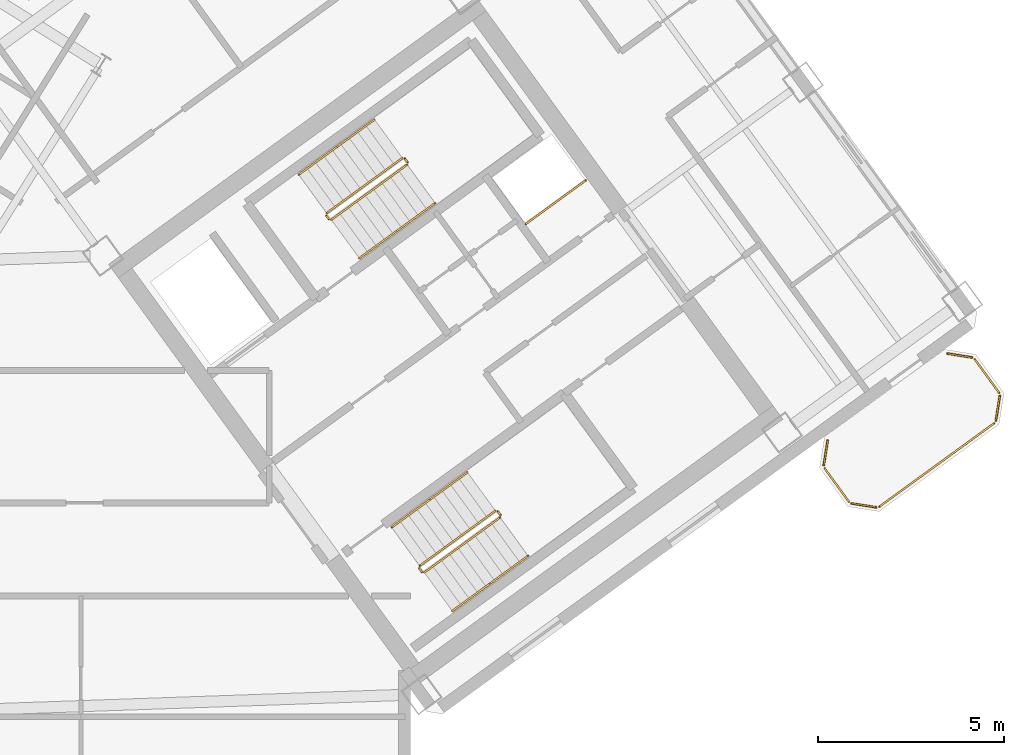
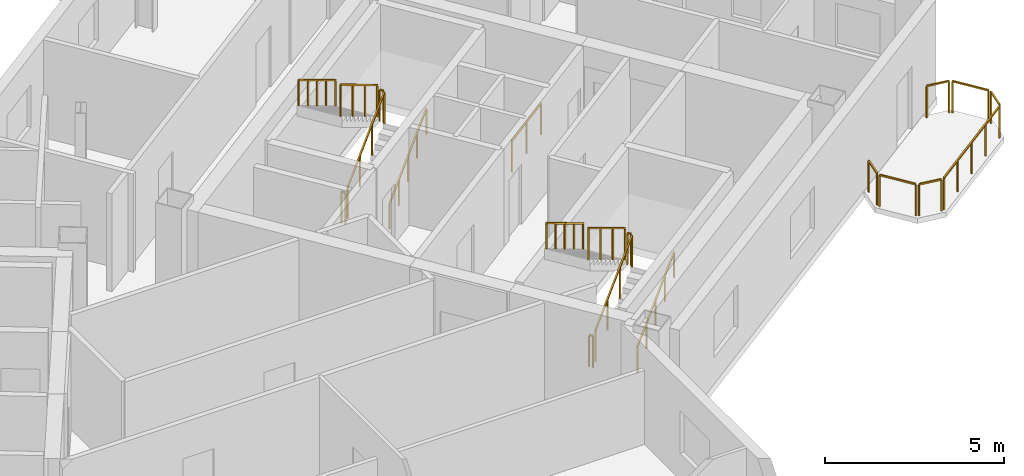
# One storey, part 19 of 20: 24 railings.
"""IFC4 building model written with IfcOpenShell, lengths in metres."""

from ifc_helpers import new_model, si_unit, direction, frame, origin, origin_2d, place, context, subcontext, project, spatial, rectangle, extrude, source, transform, mapped, material, type_object, element, save


model = new_model("IFC4")

# Units and contexts
model_context = context("Model", 3, precision=1e-05, world=origin(), true_north=direction((0.0, 1.0)))
body_context = subcontext(model_context, "Body", "Model", "MODEL_VIEW")
ifc_project = project(units=[si_unit("LENGTHUNIT", "METRE"), si_unit("AREAUNIT", "SQUARE_METRE"), si_unit("VOLUMEUNIT", "CUBIC_METRE"), si_unit("PLANEANGLEUNIT", "RADIAN"), si_unit("MASSUNIT", "GRAM", prefix="KILO")], contexts=[model_context])

# Site, building, storey
site_placement = place(None, origin())
site = spatial("IfcSite", under=ifc_project, at=site_placement, CompositionType="ELEMENT")
building_placement = place(site_placement, origin())
building = spatial("IfcBuilding", under=site, at=building_placement, Name="Tlacorven Tower", CompositionType="ELEMENT")
storey_placement = place(building_placement, frame((0.0, 0.0, 211.199951171875)))
storey = spatial("IfcBuildingStorey", under=building, at=storey_placement, Name="L53", CompositionType="ELEMENT", Elevation=211.199951171875)

# Railings
ifc_material = material(Name="Aluminium and painted steel balustrade", Category="steel")
railing_type_1 = type_object("IfcRailingType", Name="RL-GRD-1100", PredefinedType="GUARDRAIL", material=ifc_material)
shared_shape_1 = source(origin(), body_context, "Body", "SweptSolid", [
    extrude(rectangle(XDim=0.048095703125, YDim=0.048095703125, at=origin_2d()), frame((0.0, 0.0, 1.076171875), z_axis=(0.808947177504, 0.587881334972, 0.0), x_axis=(-0.587881334972, 0.808947177504, 0.0)), (0.0, 0.0, 1.0), 2.0),
    extrude(rectangle(XDim=0.0419921875, YDim=0.0419921875, at=origin_2d()), origin(), (0.0, 0.0, 1.0), 1.052001953125),
    extrude(rectangle(XDim=0.0419921875, YDim=0.0419921875, at=origin_2d()), frame((0.80908203125, 0.587890625, 0.0)), (0.0, 0.0, 1.0), 1.052001953125),
    extrude(rectangle(XDim=0.0419921875, YDim=0.0419921875, at=origin_2d()), frame((1.617919921875, 1.17578125, 0.0)), (0.0, 0.0, 1.0), 1.052001953125),
])
railing_1_placement = place(storey_placement, frame((55.506103515625, 25.438232421875, 0.0)))
element("IfcRailing", 1, at=railing_1_placement, inside=storey, type_object=railing_type_1, Name="L53 Electrical Riser E Shaft Guard 1", PredefinedType="GUARDRAIL", context=body_context, shape_type="MappedRepresentation", body=[
    mapped(shared_shape_1, transform((0.0, 0.0, 0.0), scale=1.0)),
])
railing_type_2 = type_object("IfcRailingType", Name="RL-BAL-1100", PredefinedType="BALUSTRADE", material=ifc_material)
shared_shape_2 = source(origin(), body_context, "Body", "SweptSolid", [
    extrude(rectangle(XDim=0.048095703125, YDim=0.048095703125, at=origin_2d()), frame((0.0, 0.0, 1.076171875), z_axis=(0.156602868908, 0.987661653326, 0.0), x_axis=(-0.987661653326, 0.156602868908, 0.0)), (0.0, 0.0, 1.0), 0.665771484375),
    extrude(rectangle(XDim=0.0419921875, YDim=0.0419921875, at=origin_2d()), origin(), (0.0, 0.0, 1.0), 1.052001953125),
    extrude(rectangle(XDim=0.0419921875, YDim=0.0419921875, at=origin_2d()), frame((0.104248046875, 0.657470703125, 0.0)), (0.0, 0.0, 1.0), 1.052001953125),
])
railing_2_placement = place(storey_placement, frame((63.539306640625, 18.949951171875, 0.0)))
element("IfcRailing", 2, at=railing_2_placement, inside=storey, type_object=railing_type_2, Name="BAL-L53-E-OUT Guard Railing 3", PredefinedType="BALUSTRADE", context=body_context, shape_type="MappedRepresentation", body=[
    mapped(shared_shape_2, transform((0.0, 0.0, 0.0), scale=1.0)),
])
shared_shape_3 = source(origin(), body_context, "Body", "SweptSolid", [
    extrude(rectangle(XDim=0.048095703125, YDim=0.048095703125, at=origin_2d()), frame((0.0, 0.0, 1.076171875), z_axis=(0.58788449985, -0.808944877501, 0.0), x_axis=(0.808944877501, 0.58788449985, 0.0)), (0.0, 0.0, 1.0), 1.112060546875),
    extrude(rectangle(XDim=0.0419921875, YDim=0.0419921875, at=origin_2d()), origin(), (0.0, 0.0, 1.0), 1.052001953125),
    extrude(rectangle(XDim=0.0419921875, YDim=0.0419921875, at=origin_2d()), frame((0.65380859375, -0.899658203125, 0.0)), (0.0, 0.0, 1.0), 1.052001953125),
])
railing_3_placement = place(storey_placement, frame((67.60595703125, 21.799072265625, 0.0)))
element("IfcRailing", 3, at=railing_3_placement, inside=storey, type_object=railing_type_2, Name="BAL-L53-E-OUT Guard Railing 5", PredefinedType="BALUSTRADE", context=body_context, shape_type="MappedRepresentation", body=[
    mapped(shared_shape_3, transform((0.0, 0.0, 0.0), scale=1.0)),
])
shared_shape_4 = source(origin(), body_context, "Body", "SweptSolid", [
    extrude(rectangle(XDim=0.048095703125, YDim=0.048095703125, at=origin_2d()), frame((0.0, 0.0, 1.076171875), z_axis=(-0.809018102573, -0.587783726986, 0.0), x_axis=(0.587783726986, -0.809018102573, 0.0)), (0.0, 0.0, 1.0), 3.817138671875),
    extrude(rectangle(XDim=0.0419921875, YDim=0.0419921875, at=origin_2d()), origin(), (0.0, 0.0, 1.0), 1.052001953125),
    extrude(rectangle(XDim=0.0419921875, YDim=0.0419921875, at=origin_2d()), frame((-0.77197265625, -0.56103515625, 0.0)), (0.0, 0.0, 1.0), 1.052001953125),
    extrude(rectangle(XDim=0.0419921875, YDim=0.0419921875, at=origin_2d()), frame((-1.5439453125, -1.121826171875, 0.0)), (0.0, 0.0, 1.0), 1.052001953125),
    extrude(rectangle(XDim=0.0419921875, YDim=0.0419921875, at=origin_2d()), frame((-2.316162109375, -1.6826171875, 0.0)), (0.0, 0.0, 1.0), 1.052001953125),
    extrude(rectangle(XDim=0.0419921875, YDim=0.0419921875, at=origin_2d()), frame((-3.088134765625, -2.24365234375, 0.0)), (0.0, 0.0, 1.0), 1.052001953125),
])
railing_4_placement = place(storey_placement, frame((68.12890625, 20.0732421875, 0.0)))
element("IfcRailing", 4, at=railing_4_placement, inside=storey, type_object=railing_type_2, Name="BAL-L53-E-OUT Guard Railing 7", PredefinedType="BALUSTRADE", context=body_context, shape_type="MappedRepresentation", body=[
    mapped(shared_shape_4, transform((0.0, 0.0, 0.0), scale=1.0)),
])
shared_shape_5 = source(origin(), body_context, "Body", "SweptSolid", [
    extrude(rectangle(XDim=0.048095703125, YDim=0.048095703125, at=origin_2d()), frame((0.0, 0.0, 1.076171875), z_axis=(-0.987718317463, 0.156245081039, 0.0), x_axis=(-0.156245081039, -0.987718317463, 0.0)), (0.0, 0.0, 1.0), 0.66552734375),
    extrude(rectangle(XDim=0.0419921875, YDim=0.0419921875, at=origin_2d()), origin(), (0.0, 0.0, 1.0), 1.052001953125),
    extrude(rectangle(XDim=0.0419921875, YDim=0.0419921875, at=origin_2d()), frame((-0.657470703125, 0.10400390625, 0.0)), (0.0, 0.0, 1.0), 1.052001953125),
])
railing_5_placement = place(storey_placement, frame((64.950927734375, 17.80810546875, 0.0)))
element("IfcRailing", 5, at=railing_5_placement, inside=storey, type_object=railing_type_2, Name="BAL-L53-E-OUT Guard Railing 1", PredefinedType="BALUSTRADE", context=body_context, shape_type="MappedRepresentation", body=[
    mapped(shared_shape_5, transform((0.0, 0.0, 0.0), scale=1.0)),
])
shared_shape_6 = source(origin(), body_context, "Body", "SweptSolid", [
    extrude(rectangle(XDim=0.048095703125, YDim=0.048095703125, at=origin_2d()), frame((0.0, 0.0, 1.076171875), z_axis=(-0.587740817519, 0.809049276263, 0.0), x_axis=(-0.809049276263, -0.587740817519, 0.0)), (0.0, 0.0, 1.0), 1.112060546875),
    extrude(rectangle(XDim=0.0419921875, YDim=0.0419921875, at=origin_2d()), origin(), (0.0, 0.0, 1.0), 1.052001953125),
    extrude(rectangle(XDim=0.0419921875, YDim=0.0419921875, at=origin_2d()), frame((-0.653564453125, 0.899658203125, 0.0)), (0.0, 0.0, 1.0), 1.052001953125),
])
railing_6_placement = place(storey_placement, frame((64.214599609375, 17.96044921875, 0.0)))
element("IfcRailing", 6, at=railing_6_placement, inside=storey, type_object=railing_type_2, Name="BAL-L53-E-OUT Guard Railing 2", PredefinedType="BALUSTRADE", context=body_context, shape_type="MappedRepresentation", body=[
    mapped(shared_shape_6, transform((0.0, 0.0, 0.0), scale=1.0)),
])
shared_shape_7 = source(origin(), body_context, "Body", "SweptSolid", [
    extrude(rectangle(XDim=0.048095703125, YDim=0.048095703125, at=origin_2d()), frame((0.0, 0.0, 1.076171875), z_axis=(-0.156245081039, -0.987718317463, 0.0), x_axis=(0.987718317463, -0.156245081039, 0.0)), (0.0, 0.0, 1.0), 0.66552734375),
    extrude(rectangle(XDim=0.0419921875, YDim=0.0419921875, at=origin_2d()), origin(), (0.0, 0.0, 1.0), 1.052001953125),
    extrude(rectangle(XDim=0.0419921875, YDim=0.0419921875, at=origin_2d()), frame((-0.10400390625, -0.657470703125, 0.0)), (0.0, 0.0, 1.0), 1.052001953125),
])
railing_7_placement = place(storey_placement, frame((68.28125, 20.8095703125, 0.0)))
element("IfcRailing", 7, at=railing_7_placement, inside=storey, type_object=railing_type_2, Name="BAL-L53-E-OUT Guard Railing 6", PredefinedType="BALUSTRADE", context=body_context, shape_type="MappedRepresentation", body=[
    mapped(shared_shape_7, transform((0.0, 0.0, 0.0), scale=1.0)),
])
shared_shape_8 = source(origin(), body_context, "Body", "SweptSolid", [
    extrude(rectangle(XDim=0.048095703125, YDim=0.048095703125, at=origin_2d()), frame((0.0, 0.0, 1.076171875), z_axis=(0.987727266442, -0.156188498702, 0.0), x_axis=(0.156188498702, 0.987727266442, 0.0)), (0.0, 0.0, 1.0), 0.665771484375),
    extrude(rectangle(XDim=0.0419921875, YDim=0.0419921875, at=origin_2d()), origin(), (0.0, 0.0, 1.0), 1.052001953125),
    extrude(rectangle(XDim=0.0419921875, YDim=0.0419921875, at=origin_2d()), frame((0.65771484375, -0.10400390625, 0.0)), (0.0, 0.0, 1.0), 1.052001953125),
])
railing_8_placement = place(storey_placement, frame((66.86962890625, 21.951416015625, 0.0)))
element("IfcRailing", 8, at=railing_8_placement, inside=storey, type_object=railing_type_2, Name="BAL-L53-E-OUT Guard Railing 4", PredefinedType="BALUSTRADE", context=body_context, shape_type="MappedRepresentation", body=[
    mapped(shared_shape_8, transform((0.0, 0.0, 0.0), scale=1.0)),
])
shared_shape_9 = source(origin(), body_context, "Body", "SweptSolid", [
    extrude(rectangle(XDim=0.048095703125, YDim=0.048095703125, at=origin_2d()), frame((0.0, 0.0, 1.076171875), z_axis=(-0.587567097037, 0.809175448515, 0.0), x_axis=(-0.809175448515, -0.587567097037, 0.0)), (0.0, 0.0, 1.0), 0.1201171875),
    extrude(rectangle(XDim=0.0419921875, YDim=0.0419921875, at=origin_2d()), origin(), (0.0, 0.0, 1.0), 1.052001953125),
    extrude(rectangle(XDim=0.0419921875, YDim=0.0419921875, at=origin_2d()), frame((-0.070556640625, 0.09716796875, 0.0)), (0.0, 0.0, 1.0), 1.052001953125),
])
for number, where, name in (
    (9, (54.8310546875, 17.605712890625, 1.800048828125), "L53 ST-E2 stair guard 2"),
    (10, (52.71142578125, 16.065673828125, 0.0), "L53 ST-E2 stair guard 4"),
):
    element("IfcRailing", number, at=place(storey_placement, frame(where)), inside=storey, type_object=railing_type_1, Name=name, PredefinedType="GUARDRAIL", context=body_context, shape_type="MappedRepresentation", body=[
        mapped(shared_shape_9, transform((0.0, 0.0, 0.0), scale=1.0)),
    ])
shared_shape_10 = source(origin(), body_context, "Body", "SweptSolid", [
    extrude(rectangle(XDim=0.048095703125, YDim=0.048095703125, at=origin_2d()), frame((0.0, 0.0, 1.076171875), z_axis=(-0.587201422542, 0.809440849824, 0.0), x_axis=(-0.809440849824, -0.587201422542, 0.0)), (0.0, 0.0, 1.0), 0.11962890625),
    extrude(rectangle(XDim=0.0419921875, YDim=0.0419921875, at=origin_2d()), origin(), (0.0, 0.0, 1.0), 1.052001953125),
    extrude(rectangle(XDim=0.0419921875, YDim=0.0419921875, at=origin_2d()), frame((-0.0703125, 0.096923828125, 0.0)), (0.0, 0.0, 1.0), 1.052001953125),
])
for number, where, name in (
    (11, (52.326904296875, 27.10888671875, 1.800048828125), "L53 ST-E1 stair guard 2"),
    (12, (50.207275390625, 25.56884765625, 0.0), "L53 ST-E1 stair guard 4"),
):
    element("IfcRailing", number, at=place(storey_placement, frame(where)), inside=storey, type_object=railing_type_1, Name=name, PredefinedType="GUARDRAIL", context=body_context, shape_type="MappedRepresentation", body=[
        mapped(shared_shape_10, transform((0.0, 0.0, 0.0), scale=1.0)),
    ])
shared_shape_11 = source(origin(), body_context, "Body", "SweptSolid", [
    extrude(rectangle(XDim=0.048095703125, YDim=0.048095703125, at=origin_2d()), frame((0.0, 0.0, 1.076171875), z_axis=(0.680488636597, 0.494434078831, 0.540805100894), x_axis=(-0.5878087079, 0.808999952359, 0.0)), (0.0, 0.0, 1.0), 2.995849609375),
    extrude(rectangle(XDim=0.0419921875, YDim=0.0419921875, at=origin_2d()), origin(), (0.0, 0.0, 1.0), 1.052001953125),
    extrude(rectangle(XDim=0.0419921875, YDim=0.0419921875, at=origin_2d()), frame((0.679443359375, 0.49365234375, 0.5400390625)), (0.0, 0.0, 1.0), 1.052001953125),
    extrude(rectangle(XDim=0.0419921875, YDim=0.0419921875, at=origin_2d()), frame((1.359130859375, 0.987548828125, 1.080078125)), (0.0, 0.0, 1.0), 1.052001953125),
    extrude(rectangle(XDim=0.0419921875, YDim=0.0419921875, at=origin_2d()), frame((2.03857421875, 1.481201171875, 1.6201171875)), (0.0, 0.0, 1.0), 1.052001953125),
])
railing_9_placement = place(storey_placement, frame((50.27734375, 25.557861328125, 0.179931640625)))
element("IfcRailing", 13, at=railing_9_placement, inside=storey, type_object=railing_type_1, Name="L53 ST-E1 stair guard 1", PredefinedType="GUARDRAIL", context=body_context, shape_type="MappedRepresentation", body=[
    mapped(shared_shape_11, transform((0.0, 0.0, 0.0), scale=1.0)),
])
shared_shape_12 = source(origin(), body_context, "Body", "SweptSolid", [
    extrude(rectangle(XDim=0.048095703125, YDim=0.048095703125, at=origin_2d()), frame((0.0, 0.0, 1.076171875), z_axis=(-0.680488636597, -0.494434078831, 0.540805100894), x_axis=(0.5878087079, -0.808999952359, 0.0)), (0.0, 0.0, 1.0), 2.995849609375),
    extrude(rectangle(XDim=0.0419921875, YDim=0.0419921875, at=origin_2d()), origin(), (0.0, 0.0, 1.0), 1.052001953125),
    extrude(rectangle(XDim=0.0419921875, YDim=0.0419921875, at=origin_2d()), frame((-0.679443359375, -0.49365234375, 0.5400390625)), (0.0, 0.0, 1.0), 1.052001953125),
    extrude(rectangle(XDim=0.0419921875, YDim=0.0419921875, at=origin_2d()), frame((-1.359130859375, -0.987548828125, 1.080078125)), (0.0, 0.0, 1.0), 1.052001953125),
    extrude(rectangle(XDim=0.0419921875, YDim=0.0419921875, at=origin_2d()), frame((-2.03857421875, -1.481201171875, 1.6201171875)), (0.0, 0.0, 1.0), 1.052001953125),
])
railing_10_placement = place(storey_placement, frame((52.1865234375, 27.217041015625, 1.97998046875)))
element("IfcRailing", 14, at=railing_10_placement, inside=storey, type_object=railing_type_1, Name="L53 ST-E1 stair guard 3", PredefinedType="GUARDRAIL", context=body_context, shape_type="MappedRepresentation", body=[
    mapped(shared_shape_12, transform((0.0, 0.0, 0.0), scale=1.0)),
])
railing_type_3 = type_object("IfcRailingType", Name="RL-HND-0900", PredefinedType="HANDRAIL", material=ifc_material)
shared_shape_13 = source(origin(), body_context, "Body", "SweptSolid", [
    extrude(rectangle(XDim=0.048095703125, YDim=0.048095703125, at=origin_2d()), frame((0.0, 0.0, 0.8759765625), z_axis=(0.680516055757, 0.494372502302, 0.540826891737), x_axis=(-0.587745292299, 0.809046025502, 0.0)), (0.0, 0.0, 1.0), 1.497802734375),
    extrude(rectangle(XDim=0.0419921875, YDim=0.0419921875, at=origin_2d()), origin(), (0.0, 0.0, 1.0), 0.851806640625),
    extrude(rectangle(XDim=0.0419921875, YDim=0.0419921875, at=origin_2d()), frame((0.509765625, 0.3701171875, 0.405029296875)), (0.0, 0.0, 1.0), 0.851806640625),
    extrude(rectangle(XDim=0.0419921875, YDim=0.0419921875, at=origin_2d()), frame((1.019287109375, 0.740478515625, 0.81005859375)), (0.0, 0.0, 1.0), 0.851806640625),
])
for number, where, name in (
    (15, (51.029541015625, 24.522216796875, 0.179931640625), "L53 ST-E1 stair handrail 1"),
    (16, (54.552978515625, 15.759765625, 0.989990234375), "L53 ST-E2 stair handrail 2"),
):
    element("IfcRailing", number, at=place(storey_placement, frame(where)), inside=storey, type_object=railing_type_3, Name=name, PredefinedType="HANDRAIL", context=body_context, shape_type="MappedRepresentation", body=[
        mapped(shared_shape_13, transform((0.0, 0.0, 0.0), scale=1.0)),
    ])
shared_shape_14 = source(origin(), body_context, "Body", "SweptSolid", [
    extrude(rectangle(XDim=0.048095703125, YDim=0.048095703125, at=origin_2d()), frame((0.0, 0.0, 0.8759765625), z_axis=(0.680548719995, 0.49444080854, 0.540723336433), x_axis=(-0.587779977844, 0.80902082646, 0.0)), (0.0, 0.0, 1.0), 1.498046875),
    extrude(rectangle(XDim=0.0419921875, YDim=0.0419921875, at=origin_2d()), origin(), (0.0, 0.0, 1.0), 0.851806640625),
    extrude(rectangle(XDim=0.0419921875, YDim=0.0419921875, at=origin_2d()), frame((0.509765625, 0.370361328125, 0.405029296875)), (0.0, 0.0, 1.0), 0.851806640625),
    extrude(rectangle(XDim=0.0419921875, YDim=0.0419921875, at=origin_2d()), frame((1.01953125, 0.74072265625, 0.81005859375)), (0.0, 0.0, 1.0), 0.851806640625),
])
railing_11_placement = place(storey_placement, frame((52.048828125, 25.2626953125, 0.989990234375)))
element("IfcRailing", 17, at=railing_11_placement, inside=storey, type_object=railing_type_3, Name="L53 ST-E1 stair handrail 2", PredefinedType="HANDRAIL", context=body_context, shape_type="MappedRepresentation", body=[
    mapped(shared_shape_14, transform((0.0, 0.0, 0.0), scale=1.0)),
])
shared_shape_15 = source(origin(), body_context, "Body", "SweptSolid", [
    extrude(rectangle(XDim=0.048095703125, YDim=0.048095703125, at=origin_2d()), frame((0.0, 0.0, 0.8759765625), z_axis=(-0.680603554404, -0.494317667746, 0.540766904577), x_axis=(0.587653156371, -0.809112951205, 0.0)), (0.0, 0.0, 1.0), 1.498046875),
    extrude(rectangle(XDim=0.0419921875, YDim=0.0419921875, at=origin_2d()), origin(), (0.0, 0.0, 1.0), 0.851806640625),
    extrude(rectangle(XDim=0.0419921875, YDim=0.0419921875, at=origin_2d()), frame((-0.509765625, -0.3701171875, 0.405029296875)), (0.0, 0.0, 1.0), 0.851806640625),
    extrude(rectangle(XDim=0.0419921875, YDim=0.0419921875, at=origin_2d()), frame((-1.01953125, -0.740478515625, 0.81005859375)), (0.0, 0.0, 1.0), 0.851806640625),
])
railing_12_placement = place(storey_placement, frame((51.434326171875, 28.25244140625, 1.97998046875)))
element("IfcRailing", 18, at=railing_12_placement, inside=storey, type_object=railing_type_3, Name="L53 ST-E1 stair handrail 3", PredefinedType="HANDRAIL", context=body_context, shape_type="MappedRepresentation", body=[
    mapped(shared_shape_15, transform((0.0, 0.0, 0.0), scale=1.0)),
])
shared_shape_16 = source(origin(), body_context, "Body", "SweptSolid", [
    extrude(rectangle(XDim=0.048095703125, YDim=0.048095703125, at=origin_2d()), frame((0.0, 0.0, 0.8759765625), z_axis=(-0.680461216233, -0.494495647917, 0.540783309093), x_axis=(0.587872112667, -0.808953879494, 0.0)), (0.0, 0.0, 1.0), 1.498046875),
    extrude(rectangle(XDim=0.0419921875, YDim=0.0419921875, at=origin_2d()), origin(), (0.0, 0.0, 1.0), 0.851806640625),
    extrude(rectangle(XDim=0.0419921875, YDim=0.0419921875, at=origin_2d()), frame((-0.509765625, -0.370361328125, 0.405029296875)), (0.0, 0.0, 1.0), 0.851806640625),
    extrude(rectangle(XDim=0.0419921875, YDim=0.0419921875, at=origin_2d()), frame((-1.019287109375, -0.74072265625, 0.81005859375)), (0.0, 0.0, 1.0), 0.851806640625),
])
for number, where, name in (
    (19, (50.414794921875, 27.511962890625, 2.7900390625), "L53 ST-E1 stair handrail 4"),
    (20, (52.9189453125, 18.0087890625, 2.7900390625), "L53 ST-E2 stair handrail 4"),
):
    element("IfcRailing", number, at=place(storey_placement, frame(where)), inside=storey, type_object=railing_type_3, Name=name, PredefinedType="HANDRAIL", context=body_context, shape_type="MappedRepresentation", body=[
        mapped(shared_shape_16, transform((0.0, 0.0, 0.0), scale=1.0)),
    ])
shared_shape_17 = source(origin(), body_context, "Body", "SweptSolid", [
    extrude(rectangle(XDim=0.048095703125, YDim=0.048095703125, at=origin_2d()), frame((0.0, 0.0, 1.076171875), z_axis=(0.680532390839, 0.494406659708, 0.54077511024), x_axis=(-0.587762637553, 0.809033424462, 0.0)), (0.0, 0.0, 1.0), 2.995849609375),
    extrude(rectangle(XDim=0.0419921875, YDim=0.0419921875, at=origin_2d()), origin(), (0.0, 0.0, 1.0), 1.052001953125),
    extrude(rectangle(XDim=0.0419921875, YDim=0.0419921875, at=origin_2d()), frame((0.6796875, 0.49365234375, 0.5400390625)), (0.0, 0.0, 1.0), 1.052001953125),
    extrude(rectangle(XDim=0.0419921875, YDim=0.0419921875, at=origin_2d()), frame((1.359130859375, 0.987548828125, 1.080078125)), (0.0, 0.0, 1.0), 1.052001953125),
    extrude(rectangle(XDim=0.0419921875, YDim=0.0419921875, at=origin_2d()), frame((2.038818359375, 1.481201171875, 1.6201171875)), (0.0, 0.0, 1.0), 1.052001953125),
])
railing_13_placement = place(storey_placement, frame((52.78125, 16.0546875, 0.179931640625)))
element("IfcRailing", 21, at=railing_13_placement, inside=storey, type_object=railing_type_1, Name="L53 ST-E2 stair guard 1", PredefinedType="GUARDRAIL", context=body_context, shape_type="MappedRepresentation", body=[
    mapped(shared_shape_17, transform((0.0, 0.0, 0.0), scale=1.0)),
])
shared_shape_18 = source(origin(), body_context, "Body", "SweptSolid", [
    extrude(rectangle(XDim=0.048095703125, YDim=0.048095703125, at=origin_2d()), frame((0.0, 0.0, 1.076171875), z_axis=(-0.680532390839, -0.494406659708, 0.54077511024), x_axis=(0.587762637553, -0.809033424462, 0.0)), (0.0, 0.0, 1.0), 2.995849609375),
    extrude(rectangle(XDim=0.0419921875, YDim=0.0419921875, at=origin_2d()), origin(), (0.0, 0.0, 1.0), 1.052001953125),
    extrude(rectangle(XDim=0.0419921875, YDim=0.0419921875, at=origin_2d()), frame((-0.6796875, -0.49365234375, 0.5400390625)), (0.0, 0.0, 1.0), 1.052001953125),
    extrude(rectangle(XDim=0.0419921875, YDim=0.0419921875, at=origin_2d()), frame((-1.359130859375, -0.987548828125, 1.080078125)), (0.0, 0.0, 1.0), 1.052001953125),
    extrude(rectangle(XDim=0.0419921875, YDim=0.0419921875, at=origin_2d()), frame((-2.038818359375, -1.481201171875, 1.6201171875)), (0.0, 0.0, 1.0), 1.052001953125),
])
railing_14_placement = place(storey_placement, frame((54.690673828125, 17.7138671875, 1.97998046875)))
element("IfcRailing", 22, at=railing_14_placement, inside=storey, type_object=railing_type_1, Name="L53 ST-E2 stair guard 3", PredefinedType="GUARDRAIL", context=body_context, shape_type="MappedRepresentation", body=[
    mapped(shared_shape_18, transform((0.0, 0.0, 0.0), scale=1.0)),
])
shared_shape_19 = source(origin(), body_context, "Body", "SweptSolid", [
    extrude(rectangle(XDim=0.048095703125, YDim=0.048095703125, at=origin_2d()), frame((0.0, 0.0, 0.8759765625), z_axis=(0.680461216233, 0.494495647917, 0.540783309093), x_axis=(-0.587872112667, 0.808953879494, 0.0)), (0.0, 0.0, 1.0), 1.498046875),
    extrude(rectangle(XDim=0.0419921875, YDim=0.0419921875, at=origin_2d()), origin(), (0.0, 0.0, 1.0), 0.851806640625),
    extrude(rectangle(XDim=0.0419921875, YDim=0.0419921875, at=origin_2d()), frame((0.509765625, 0.370361328125, 0.405029296875)), (0.0, 0.0, 1.0), 0.851806640625),
    extrude(rectangle(XDim=0.0419921875, YDim=0.0419921875, at=origin_2d()), frame((1.019287109375, 0.74072265625, 0.81005859375)), (0.0, 0.0, 1.0), 0.851806640625),
])
railing_15_placement = place(storey_placement, frame((53.53369140625, 15.01904296875, 0.179931640625)))
element("IfcRailing", 23, at=railing_15_placement, inside=storey, type_object=railing_type_3, Name="L53 ST-E2 stair handrail 1", PredefinedType="HANDRAIL", context=body_context, shape_type="MappedRepresentation", body=[
    mapped(shared_shape_19, transform((0.0, 0.0, 0.0), scale=1.0)),
])
shared_shape_20 = source(origin(), body_context, "Body", "SweptSolid", [
    extrude(rectangle(XDim=0.048095703125, YDim=0.048095703125, at=origin_2d()), frame((0.0, 0.0, 0.8759765625), z_axis=(-0.680516055757, -0.494372502302, 0.540826891737), x_axis=(0.587745292299, -0.809046025502, 0.0)), (0.0, 0.0, 1.0), 1.497802734375),
    extrude(rectangle(XDim=0.0419921875, YDim=0.0419921875, at=origin_2d()), origin(), (0.0, 0.0, 1.0), 0.851806640625),
    extrude(rectangle(XDim=0.0419921875, YDim=0.0419921875, at=origin_2d()), frame((-0.509765625, -0.3701171875, 0.405029296875)), (0.0, 0.0, 1.0), 0.851806640625),
    extrude(rectangle(XDim=0.0419921875, YDim=0.0419921875, at=origin_2d()), frame((-1.019287109375, -0.740478515625, 0.81005859375)), (0.0, 0.0, 1.0), 0.851806640625),
])
railing_16_placement = place(storey_placement, frame((53.938232421875, 18.749267578125, 1.97998046875)))
element("IfcRailing", 24, at=railing_16_placement, inside=storey, type_object=railing_type_3, Name="L53 ST-E2 stair handrail 3", PredefinedType="HANDRAIL", context=body_context, shape_type="MappedRepresentation", body=[
    mapped(shared_shape_20, transform((0.0, 0.0, 0.0), scale=1.0)),
])

save(model, "model.ifc")
